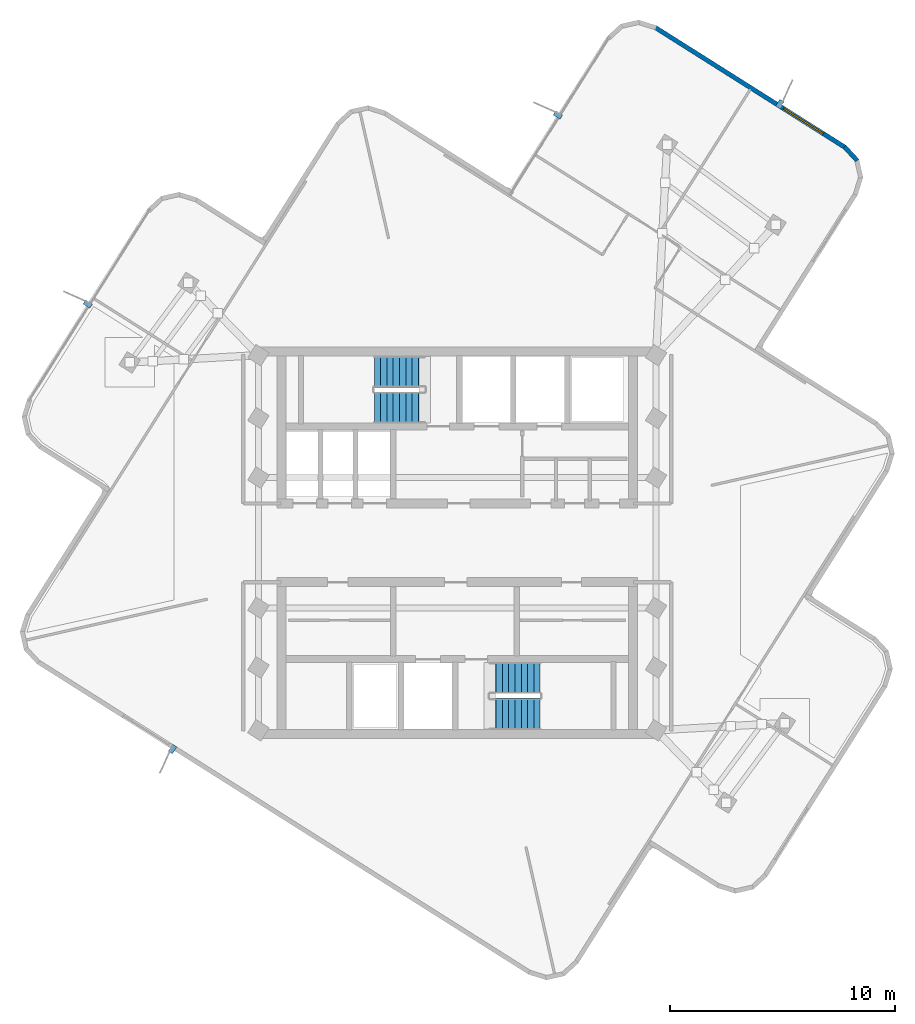
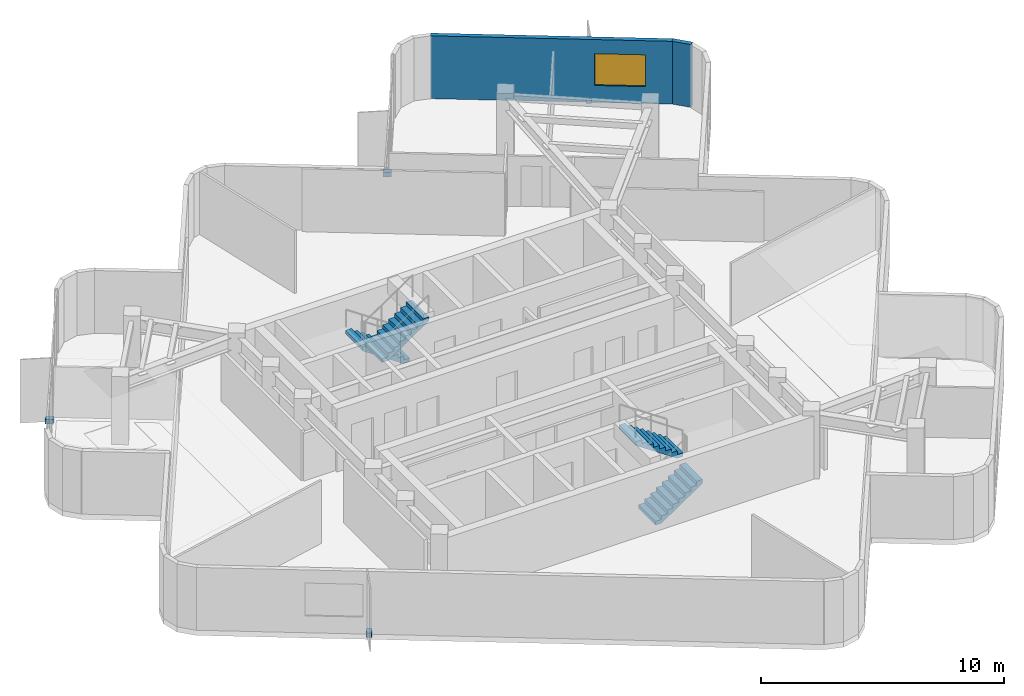
# One storey, part 8 of 10: 4 discrete accessories, 4 stair flights, 2 walls, 1 window, 1 opening, 2 elements without a shape of their own.
"""IFC4 building model written with IfcOpenShell, lengths in metres."""

from ifc_helpers import new_model, si_unit, direction, frame, frame_2d, origin, origin_2d, place, context, subcontext, project, spatial, polyline, rectangle, outline, extrude, material, layer, layer_set, type_object, element, fill, aggregate, save


model = new_model("IFC4")

# Units and contexts
model_context = context("Model", 3, precision=1e-05, world=origin(), true_north=direction((0.0, 1.0)))
body_context = subcontext(model_context, "Body", "Model", "MODEL_VIEW")
ifc_project = project(units=[si_unit("LENGTHUNIT", "METRE"), si_unit("AREAUNIT", "SQUARE_METRE"), si_unit("VOLUMEUNIT", "CUBIC_METRE"), si_unit("PLANEANGLEUNIT", "RADIAN"), si_unit("MASSUNIT", "GRAM", prefix="KILO")], contexts=[model_context])

# Site, building, storey
site_placement = place(None, origin())
site = spatial("IfcSite", under=ifc_project, at=site_placement, CompositionType="ELEMENT")
building_placement = place(site_placement, origin())
building = spatial("IfcBuilding", under=site, at=building_placement, Name="Solmarez Civic Tower", CompositionType="ELEMENT")
storey_placement = place(building_placement, frame((0.0, 0.0, 274.860107421875)))
storey = spatial("IfcBuildingStorey", under=building, at=storey_placement, Name="L74", CompositionType="ELEMENT", Elevation=274.860107421875)

# Wall, opening, window
ifc_material_1 = material(Name="Precast concrete C40/50", Category="concrete")
ifc_layer = layer(ifc_material_1, 0.199951171875)
ifc_layer_set = layer_set([ifc_layer], Name="Precast concrete C40/50")
wall_type = type_object("IfcWallType", Name="WALL-EXT-200", PredefinedType="SOLIDWALL", material=ifc_layer_set)
wall_1_placement = place(storey_placement, frame((8.802978515625, 22.945068359375, 0.0), z_axis=(0.0, 0.0, 1.0), x_axis=(0.845446069837, -0.534060804588, 0.0)))
wall_1 = element("IfcWall", 1, at=wall_1_placement, inside=storey, type_object=wall_type, Name="L74 Exterior Precast Wall 35", PredefinedType="SOLIDWALL", context=body_context, shape_type="SweptSolid", body=[
    extrude(rectangle(XDim=10.023193359375, YDim=0.199951171875, at=frame_2d((5.01171875, 0.0))), origin(), (0.0, 0.0, 1.0), 3.159912109375),
])
opening_placement = place(wall_1_placement, frame((6.76806640625, 0.0, 0.85009765625)))
opening = element("IfcOpeningElement", 2, at=opening_placement, cuts=wall_1, Name="Opening W-11", PredefinedType="OPENING", context=body_context, shape_type="SweptSolid", body=[
    extrude(rectangle(XDim=2.10009765625, YDim=1.60009765625, at=frame_2d((1.050048828125, 0.800048828125))), frame((0.0, 0.10986328125, 0.0), z_axis=(0.0, -1.0, 0.0), x_axis=(1.0, 0.0, 0.0)), (0.0, 0.0, 1.0), 0.219970703125),
])
ifc_material_2 = material(Name="Solar Control Bronze-Tinted Insulating Glass", Category="glass")
window_type = type_object("IfcWindowType", Name="WIN-2100X1600", PartitioningType="SINGLE_PANEL", PredefinedType="WINDOW", material=ifc_material_2)
window_placement = place(opening_placement, origin())
window = element("IfcWindow", 3, at=window_placement, inside=storey, type_object=window_type, Name="L74 Exterior Facade Window 35", OverallHeight=1.60009765625, OverallWidth=2.10009765625, PartitioningType="SINGLE_PANEL", PredefinedType="WINDOW", context=body_context, shape_type="SweptSolid", body=[
    extrude(rectangle(XDim=2.10009765625, YDim=1.60009765625, at=frame_2d((1.050048828125, 0.800048828125))), frame((0.0, 0.030029296875, 0.0), z_axis=(0.0, -1.0, 0.0), x_axis=(1.0, 0.0, 0.0)), (0.0, 0.0, 1.0), 0.06005859375),
])
fill(opening, window)

# Wall
wall_2_placement = place(storey_placement, frame((17.239013671875, 17.623046875, 0.0), z_axis=(0.0, 0.0, 1.0), x_axis=(0.679187212508, -0.73396507435, 0.0)))
element("IfcWall", 4, at=wall_2_placement, inside=storey, type_object=wall_type, Name="L74 Exterior Precast Wall 36", PredefinedType="SOLIDWALL", context=body_context, shape_type="SweptSolid", body=[
    extrude(rectangle(XDim=0.837890625, YDim=0.199951171875, at=frame_2d((0.4189453125, 0.0))), origin(), (0.0, 0.0, 1.0), 3.159912109375),
])

# Stair, stair flights
ifc_material_3 = material(Name="Concrete C50/60", Category="concrete")
stair_type = type_object("IfcStairType", Name="STAIR-DOGLEG-140W-18R-1900", PredefinedType="HALF_TURN_STAIR", material=ifc_material_3)
stair_1_placement = place(storey_placement, origin())
stair_1 = element("IfcStair", 5, at=stair_1_placement, inside=storey, type_object=stair_type, Name="L74 North Core Protected Exit Stair ST-1", PredefinedType="HALF_TURN_STAIR")
stair_flight_type = type_object("IfcStairFlightType", Name="FLIGHT-DOGLEG-140W-9R-1900", PredefinedType="STRAIGHT", material=ifc_material_3)
stair_flight_1_placement = place(storey_placement, frame((-1.449951171875, 7.6201171875, 0.0), z_axis=(0.0, 0.0, 1.0), x_axis=(-1.0, 0.0, 0.0)))
stair_flight_1 = element("IfcStairFlight", 6, at=stair_flight_1_placement, type_object=stair_flight_type, Name="ST-1 flight 1", NumberOfRisers=9, NumberOfTreads=8, PredefinedType="STRAIGHT", RiserHeight=0.19, TreadLength=0.28, context=body_context, shape_type="SweptSolid", body=[
    extrude(outline(polyline([(0.0, 0.0), (0.0, 0.18994140625), (0.280029296875, 0.18994140625), (0.280029296875, 0.3798828125), (0.56005859375, 0.3798828125), (0.56005859375, 0.570068359375), (0.840087890625, 0.570068359375), (0.840087890625, 0.760009765625), (1.1201171875, 0.760009765625), (1.1201171875, 0.949951171875), (1.39990234375, 0.949951171875), (1.39990234375, 1.139892578125), (1.679931640625, 1.139892578125), (1.679931640625, 1.330078125), (1.9599609375, 1.330078125), (1.9599609375, 1.52001953125), (2.239990234375, 1.52001953125), (2.239990234375, 1.7099609375), (2.239990234375, 1.32666015625), (0.284912109375, 0.0), (0.0, 0.0)])), frame((0.0, 0.699951171875, 0.0), z_axis=(0.0, -1.0, 0.0), x_axis=(1.0, 0.0, 0.0)), (0.0, 0.0, 1.0), 1.39990234375),
])
stair_flight_2_placement = place(storey_placement, frame((-3.68994140625, 6.02001953125, 1.7099609375), z_axis=(0.0, 0.0, 1.0), x_axis=(1.0, 0.0, 0.0)))
stair_flight_2 = element("IfcStairFlight", 7, at=stair_flight_2_placement, type_object=stair_flight_type, Name="ST-1 flight 2", NumberOfRisers=9, NumberOfTreads=8, PredefinedType="STRAIGHT", RiserHeight=0.19, TreadLength=0.28, context=body_context, shape_type="SweptSolid", body=[
    extrude(outline(polyline([(0.0, 0.0), (0.0, 0.18994140625), (0.280029296875, 0.18994140625), (0.280029296875, 0.3798828125), (0.56005859375, 0.3798828125), (0.56005859375, 0.570068359375), (0.840087890625, 0.570068359375), (0.840087890625, 0.760009765625), (1.1201171875, 0.760009765625), (1.1201171875, 0.949951171875), (1.39990234375, 0.949951171875), (1.39990234375, 1.139892578125), (1.679931640625, 1.139892578125), (1.679931640625, 1.330078125), (1.9599609375, 1.330078125), (1.9599609375, 1.52001953125), (2.239990234375, 1.52001953125), (2.239990234375, 1.7099609375), (2.239990234375, 1.32666015625), (0.284912109375, 0.0), (0.0, 0.0)])), frame((0.0, 0.699951171875, 0.0), z_axis=(0.0, -1.0, 0.0), x_axis=(1.0, 0.0, 0.0)), (0.0, 0.0, 1.0), 1.39990234375),
])
aggregate(stair_1, [stair_flight_1, stair_flight_2])

stair_2_placement = place(storey_placement, origin())
stair_2 = element("IfcStair", 8, at=stair_2_placement, inside=storey, type_object=stair_type, Name="L74 South Core Protected Exit Stair ST-2", PredefinedType="HALF_TURN_STAIR")
stair_flight_3_placement = place(storey_placement, frame((1.449951171875, -7.6201171875, 0.0), z_axis=(0.0, 0.0, 1.0), x_axis=(1.0, 0.0, 0.0)))
stair_flight_3 = element("IfcStairFlight", 9, at=stair_flight_3_placement, type_object=stair_flight_type, Name="ST-2 flight 1", NumberOfRisers=9, NumberOfTreads=8, PredefinedType="STRAIGHT", RiserHeight=0.19, TreadLength=0.28, context=body_context, shape_type="SweptSolid", body=[
    extrude(outline(polyline([(0.0, 0.0), (0.0, 0.18994140625), (0.280029296875, 0.18994140625), (0.280029296875, 0.3798828125), (0.56005859375, 0.3798828125), (0.56005859375, 0.570068359375), (0.840087890625, 0.570068359375), (0.840087890625, 0.760009765625), (1.1201171875, 0.760009765625), (1.1201171875, 0.949951171875), (1.39990234375, 0.949951171875), (1.39990234375, 1.139892578125), (1.679931640625, 1.139892578125), (1.679931640625, 1.330078125), (1.9599609375, 1.330078125), (1.9599609375, 1.52001953125), (2.239990234375, 1.52001953125), (2.239990234375, 1.7099609375), (2.239990234375, 1.32666015625), (0.284912109375, 0.0), (0.0, 0.0)])), frame((0.0, 0.699951171875, 0.0), z_axis=(0.0, -1.0, 0.0), x_axis=(1.0, 0.0, 0.0)), (0.0, 0.0, 1.0), 1.39990234375),
])
stair_flight_4_placement = place(storey_placement, frame((3.68994140625, -6.02001953125, 1.7099609375), z_axis=(0.0, 0.0, 1.0), x_axis=(-1.0, 0.0, 0.0)))
stair_flight_4 = element("IfcStairFlight", 10, at=stair_flight_4_placement, type_object=stair_flight_type, Name="ST-2 flight 2", NumberOfRisers=9, NumberOfTreads=8, PredefinedType="STRAIGHT", RiserHeight=0.19, TreadLength=0.28, context=body_context, shape_type="SweptSolid", body=[
    extrude(outline(polyline([(0.0, 0.0), (0.0, 0.18994140625), (0.280029296875, 0.18994140625), (0.280029296875, 0.3798828125), (0.56005859375, 0.3798828125), (0.56005859375, 0.570068359375), (0.840087890625, 0.570068359375), (0.840087890625, 0.760009765625), (1.1201171875, 0.760009765625), (1.1201171875, 0.949951171875), (1.39990234375, 0.949951171875), (1.39990234375, 1.139892578125), (1.679931640625, 1.139892578125), (1.679931640625, 1.330078125), (1.9599609375, 1.330078125), (1.9599609375, 1.52001953125), (2.239990234375, 1.52001953125), (2.239990234375, 1.7099609375), (2.239990234375, 1.32666015625), (0.284912109375, 0.0), (0.0, 0.0)])), frame((0.0, 0.699951171875, 0.0), z_axis=(0.0, -1.0, 0.0), x_axis=(1.0, 0.0, 0.0)), (0.0, 0.0, 1.0), 1.39990234375),
])
aggregate(stair_2, [stair_flight_3, stair_flight_4])

# Discrete accessories
ifc_material_4 = material(Name="Stainless Steel Grade 1.4401", Category="steel")
discrete_accessory_type = type_object("IfcDiscreteAccessoryType", Name="BRACKET-SS-FIN", PredefinedType="BRACKET", material=ifc_material_4)
for number, where, z_axis, x_axis, name in (
    (11, (-12.6708984375, -9.181884765625, -0.06005859375), (0.0, 0.0, 1.0), (-0.534054063322, -0.845450328198, 0.0), "L74 Stainless Fin Support Bracket FIN-L74-01"),
    (12, (-16.447021484375, 10.6259765625, -0.06005859375), (0.0, 0.0, 1.0), (-0.845419803649, 0.534102383067, 0.0), "L74 Stainless Fin Support Bracket FIN-L74-02"),
    (13, (4.48095703125, 19.0400390625, -0.06005859375), (0.0, 0.0, 1.0), (-0.845503503854, 0.533969872719, 0.0), "L74 Stainless Fin Support Bracket FIN-L74-03"),
    (14, (14.35595703125, 19.531005859375, -0.06005859375), (0.0, 0.0, 1.0), (0.534102383067, 0.845419803649, 0.0), "L74 Stainless Fin Support Bracket FIN-L74-04"),
):
    element("IfcDiscreteAccessory", number, at=place(storey_placement, frame(where, z_axis=z_axis, x_axis=x_axis)), inside=storey, type_object=discrete_accessory_type, Name=name, PredefinedType="BRACKET", context=body_context, shape_type="SweptSolid", body=[
        extrude(rectangle(XDim=0.360107421875, YDim=0.219970703125, at=origin_2d()), origin(), (0.0, 0.0, 1.0), 0.239990234375),
    ])

save(model, "model.ifc")
